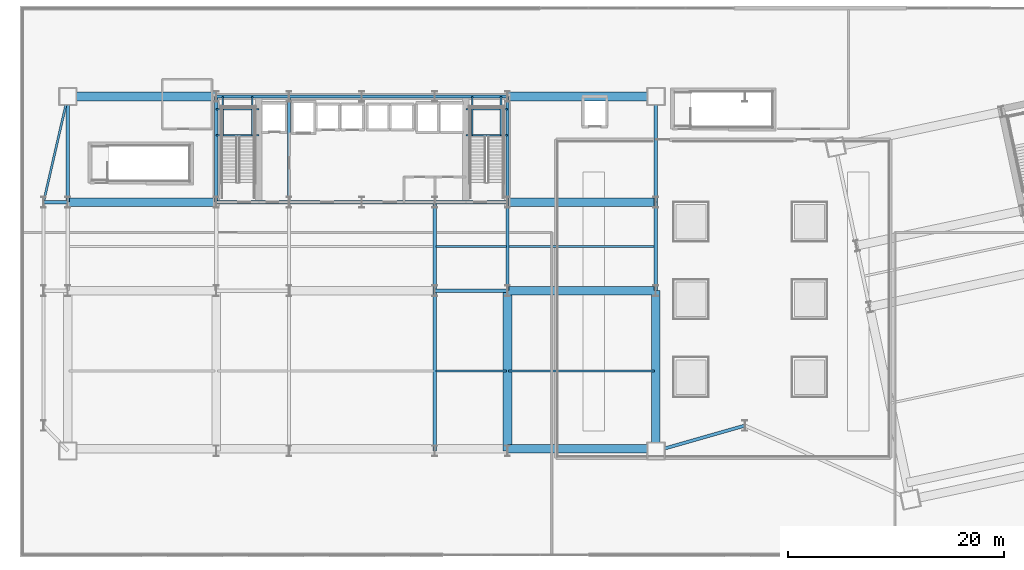
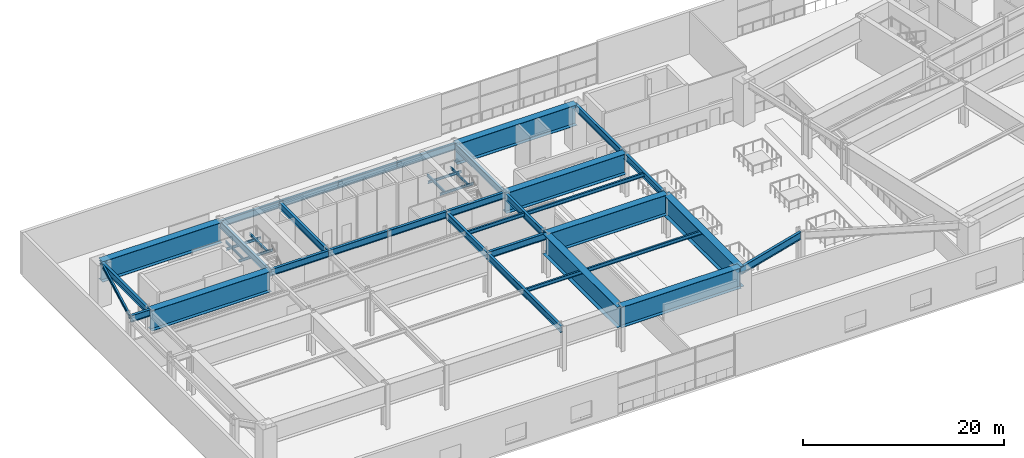
# One storey, part 5 of 29: 41 beams.
"""IFC4 building model written with IfcOpenShell, lengths in metres."""

from ifc_helpers import new_model, si_unit, direction, frame, origin, origin_2d, place, context, subcontext, project, spatial, i_section, extrude, material, material_profile, profile_set, type_object, element, save


model = new_model("IFC4")

# Units and contexts
model_context = context("Model", 3, precision=1e-05, world=origin(), true_north=direction((0.0, 1.0)))
body_context = subcontext(model_context, "Body", "Model", "MODEL_VIEW")
ifc_project = project(units=[si_unit("LENGTHUNIT", "METRE"), si_unit("AREAUNIT", "SQUARE_METRE"), si_unit("VOLUMEUNIT", "CUBIC_METRE"), si_unit("PLANEANGLEUNIT", "RADIAN"), si_unit("MASSUNIT", "GRAM", prefix="KILO")], contexts=[model_context])

# Site, building, storey
site_placement = place(None, origin())
site = spatial("IfcSite", under=ifc_project, at=site_placement, CompositionType="ELEMENT")
building_placement = place(site_placement, origin())
building = spatial("IfcBuilding", under=site, at=building_placement, Name="Haevon Station Towers", CompositionType="ELEMENT")
storey_placement = place(building_placement, frame((0.0, 0.0, 25.199951171875)))
storey = spatial("IfcBuildingStorey", under=building, at=storey_placement, Name="L05", CompositionType="ELEMENT", Elevation=25.199951171875)

# Beams
ifc_material_1 = material(Name="Steel S355", Category="steel")
ifc_material_profile_1 = material_profile(ifc_material_1, i_section(OverallWidth=0.199951171875, OverallDepth=0.39990234375, WebThickness=0.008056640625, FlangeThickness=0.012939453125, at=origin_2d()), Name="H-400x200x8x13")
ifc_profile_set_1 = profile_set([ifc_material_profile_1], Name="Steel S355")
beam_type_1 = type_object("IfcBeamType", Name="BM-CANT400", PredefinedType="JOIST", material=ifc_profile_set_1)
beam_1_placement = place(storey_placement, frame((8.0, 38.199951171875, 4.949951171875), z_axis=(0.223768790916, 0.974642256529, 0.0), x_axis=(-0.974642256529, 0.223768790916, 0.0)))
element("IfcBeam", 1, at=beam_1_placement, inside=storey, type_object=beam_type_1, Name="BM-PODTERR-L05", PredefinedType="JOIST", context=body_context, shape_type="SweptSolid", body=[
    extrude(i_section(OverallWidth=0.199951171875, OverallDepth=0.39990234375, WebThickness=0.008056640625, FlangeThickness=0.012939453125, at=origin_2d()), origin(), (0.0, 0.0, 1.0), 10.054931640625),
])
ifc_material_profile_2 = material_profile(ifc_material_1, i_section(OverallWidth=0.199951171875, OverallDepth=0.449951171875, WebThickness=0.009033203125, FlangeThickness=0.013916015625, at=origin_2d()), Name="H-450x200x9x14")
ifc_profile_set_2 = profile_set([ifc_material_profile_2], Name="Steel S355")
beam_type_2 = type_object("IfcBeamType", Name="BM-J450", PredefinedType="JOIST", material=ifc_profile_set_2)
beam_2_placement = place(storey_placement, frame((44.360107421875, 22.574951171875, 4.925048828125), z_axis=(1.0, 0.0, 0.0), x_axis=(0.0, 1.0, 0.0)))
element("IfcBeam", 2, at=beam_2_placement, inside=storey, type_object=beam_type_2, Name="BM-T1J-L05-01-04", PredefinedType="JOIST", context=body_context, shape_type="SweptSolid", body=[
    extrude(i_section(OverallWidth=0.199951171875, OverallDepth=0.449951171875, WebThickness=0.009033203125, FlangeThickness=0.013916015625, at=origin_2d()), origin(), (0.0, 0.0, 1.0), 6.52978515625),
])
beam_3_placement = place(storey_placement, frame((51.110107421875, 22.574951171875, 4.925048828125), z_axis=(1.0, 0.0, 0.0), x_axis=(0.0, 1.0, 0.0)))
element("IfcBeam", 3, at=beam_3_placement, inside=storey, type_object=beam_type_2, Name="BM-T1J-L05-01-05", PredefinedType="JOIST", context=body_context, shape_type="SweptSolid", body=[
    extrude(i_section(OverallWidth=0.199951171875, OverallDepth=0.449951171875, WebThickness=0.009033203125, FlangeThickness=0.013916015625, at=origin_2d()), origin(), (0.0, 0.0, 1.0), 13.52978515625),
])
beam_4_placement = place(storey_placement, frame((44.360107421875, 34.10009765625, 4.925048828125), z_axis=(1.0, 0.0, 0.0), x_axis=(0.0, 1.0, 0.0)))
element("IfcBeam", 4, at=beam_4_placement, inside=storey, type_object=beam_type_2, Name="BM-T1J-L05-02-04", PredefinedType="JOIST", context=body_context, shape_type="SweptSolid", body=[
    extrude(i_section(OverallWidth=0.199951171875, OverallDepth=0.449951171875, WebThickness=0.009033203125, FlangeThickness=0.013916015625, at=origin_2d()), origin(), (0.0, 0.0, 1.0), 6.52978515625),
])
beam_5_placement = place(storey_placement, frame((51.110107421875, 34.10009765625, 4.925048828125), z_axis=(1.0, 0.0, 0.0), x_axis=(0.0, 1.0, 0.0)))
element("IfcBeam", 5, at=beam_5_placement, inside=storey, type_object=beam_type_2, Name="BM-T1J-L05-02-05", PredefinedType="JOIST", context=body_context, shape_type="SweptSolid", body=[
    extrude(i_section(OverallWidth=0.199951171875, OverallDepth=0.449951171875, WebThickness=0.009033203125, FlangeThickness=0.013916015625, at=origin_2d()), origin(), (0.0, 0.0, 1.0), 13.52978515625),
])
ifc_material_profile_3 = material_profile(ifc_material_1, i_section(OverallWidth=0.14990234375, OverallDepth=0.300048828125, WebThickness=0.006591796875, FlangeThickness=0.009033203125, at=origin_2d()), Name="H-300x150x6.5x9")
ifc_profile_set_3 = profile_set([ifc_material_profile_3], Name="Steel S355")
beam_type_3 = type_object("IfcBeamType", Name="BM-LIN300", PredefinedType="LINTEL", material=ifc_profile_set_3)
for number, where, z_axis, x_axis, name in (
    (6, (24.0, 44.424072265625, 2.35009765625), (1.0, 0.0, 0.0), (0.0, 1.0, 0.0), "BM-ST1L-L05-1-S"),
    (7, (24.0, 46.820068359375, 2.35009765625), (1.0, 0.0, 0.0), (0.0, 1.0, 0.0), "BM-ST1L-L05-1-N"),
):
    element("IfcBeam", number, at=place(storey_placement, frame(where, z_axis=z_axis, x_axis=x_axis)), inside=storey, type_object=beam_type_3, Name=name, PredefinedType="LINTEL", context=body_context, shape_type="SweptSolid", body=[
        extrude(i_section(OverallWidth=0.14990234375, OverallDepth=0.300048828125, WebThickness=0.006591796875, FlangeThickness=0.009033203125, at=origin_2d()), origin(), (0.0, 0.0, 1.0), 3.949951171875),
    ])
for number, where, z_axis, x_axis, name in (
    (8, (24.60009765625, 44.424072265625, 2.35009765625), (0.0, 1.0, 0.0), (-1.0, 0.0, 0.0), "BM-ST1L-L05-1-W"),
    (9, (27.35009765625, 44.424072265625, 2.35009765625), (0.0, 1.0, 0.0), (-1.0, 0.0, 0.0), "BM-ST1L-L05-1-E"),
):
    element("IfcBeam", number, at=place(storey_placement, frame(where, z_axis=z_axis, x_axis=x_axis)), inside=storey, type_object=beam_type_3, Name=name, PredefinedType="LINTEL", context=body_context, shape_type="SweptSolid", body=[
        extrude(i_section(OverallWidth=0.14990234375, OverallDepth=0.300048828125, WebThickness=0.006591796875, FlangeThickness=0.009033203125, at=origin_2d()), origin(), (0.0, 0.0, 1.0), 3.575927734375),
    ])
for number, where, z_axis, x_axis, name in (
    (10, (47.14990234375, 44.424072265625, 2.35009765625), (1.0, 0.0, 0.0), (0.0, 1.0, 0.0), "BM-ST2L-L05-1-S"),
    (11, (47.14990234375, 46.820068359375, 2.35009765625), (1.0, 0.0, 0.0), (0.0, 1.0, 0.0), "BM-ST2L-L05-1-N"),
):
    element("IfcBeam", number, at=place(storey_placement, frame(where, z_axis=z_axis, x_axis=x_axis)), inside=storey, type_object=beam_type_3, Name=name, PredefinedType="LINTEL", context=body_context, shape_type="SweptSolid", body=[
        extrude(i_section(OverallWidth=0.14990234375, OverallDepth=0.300048828125, WebThickness=0.006591796875, FlangeThickness=0.009033203125, at=origin_2d()), origin(), (0.0, 0.0, 1.0), 3.85009765625),
    ])
for number, where, z_axis, x_axis, name in (
    (12, (47.75, 44.424072265625, 2.35009765625), (0.0, 1.0, 0.0), (-1.0, 0.0, 0.0), "BM-ST2L-L05-1-W"),
    (13, (50.39990234375, 44.424072265625, 2.35009765625), (0.0, 1.0, 0.0), (-1.0, 0.0, 0.0), "BM-ST2L-L05-1-E"),
):
    element("IfcBeam", number, at=place(storey_placement, frame(where, z_axis=z_axis, x_axis=x_axis)), inside=storey, type_object=beam_type_3, Name=name, PredefinedType="LINTEL", context=body_context, shape_type="SweptSolid", body=[
        extrude(i_section(OverallWidth=0.14990234375, OverallDepth=0.300048828125, WebThickness=0.006591796875, FlangeThickness=0.009033203125, at=origin_2d()), origin(), (0.0, 0.0, 1.0), 3.575927734375),
    ])
ifc_material_profile_4 = material_profile(ifc_material_1, i_section(OverallWidth=0.300048828125, OverallDepth=0.800048828125, WebThickness=0.013916015625, FlangeThickness=0.02587890625, at=origin_2d()), Name="H-800x300x14x26")
ifc_profile_set_4 = profile_set([ifc_material_profile_4], Name="Steel S355")
beam_type_4 = type_object("IfcBeamType", Name="BM-PG800", PredefinedType="BEAM", material=ifc_profile_set_4)
for number, where, z_axis, x_axis, name in (
    (14, (44.25, 30.0, 4.75), (1.0, 0.0, 0.0), (0.0, 1.0, 0.0), "BM-T1X-L05-02-05"),
    (15, (24.0, 38.199951171875, 4.75), (1.0, 0.0, 0.0), (0.0, 1.0, 0.0), "BM-T1X-L05-03-02"),
    (16, (30.75, 38.199951171875, 4.75), (1.0, 0.0, 0.0), (0.0, 1.0, 0.0), "BM-T1X-L05-03-03"),
    (17, (37.5, 38.199951171875, 4.75), (1.0, 0.0, 0.0), (0.0, 1.0, 0.0), "BM-T1X-L05-03-04"),
    (18, (44.25, 38.199951171875, 4.75), (1.0, 0.0, 0.0), (0.0, 1.0, 0.0), "BM-T1X-L05-03-05"),
    (19, (24.0, 48.0, 4.75), (1.0, 0.0, 0.0), (0.0, 1.0, 0.0), "BM-T1X-L05-04-02"),
    (20, (30.75, 48.0, 4.75), (1.0, 0.0, 0.0), (0.0, 1.0, 0.0), "BM-T1X-L05-04-03"),
    (21, (37.5, 48.0, 4.75), (1.0, 0.0, 0.0), (0.0, 1.0, 0.0), "BM-T1X-L05-04-04"),
    (22, (44.25, 48.0, 4.75), (1.0, 0.0, 0.0), (0.0, 1.0, 0.0), "BM-T1X-L05-04-05"),
):
    element("IfcBeam", number, at=place(storey_placement, frame(where, z_axis=z_axis, x_axis=x_axis)), inside=storey, type_object=beam_type_4, Name=name, PredefinedType="BEAM", context=body_context, shape_type="SweptSolid", body=[
        extrude(i_section(OverallWidth=0.300048828125, OverallDepth=0.800048828125, WebThickness=0.013916015625, FlangeThickness=0.02587890625, at=origin_2d()), origin(), (0.0, 0.0, 1.0), 6.75),
    ])
for number, where, z_axis, x_axis, name in (
    (23, (10.25, 38.199951171875, 4.75), (0.0, 1.0, 0.0), (-1.0, 0.0, 0.0), "BM-T1Y-L05-01-03"),
    (24, (24.0, 38.199951171875, 4.75), (0.0, 1.0, 0.0), (-1.0, 0.0, 0.0), "BM-T1Y-L05-02-03"),
    (25, (30.75, 38.199951171875, 4.75), (0.0, 1.0, 0.0), (-1.0, 0.0, 0.0), "BM-T1Y-L05-03-03"),
):
    element("IfcBeam", number, at=place(storey_placement, frame(where, z_axis=z_axis, x_axis=x_axis)), inside=storey, type_object=beam_type_4, Name=name, PredefinedType="BEAM", context=body_context, shape_type="SweptSolid", body=[
        extrude(i_section(OverallWidth=0.300048828125, OverallDepth=0.800048828125, WebThickness=0.013916015625, FlangeThickness=0.02587890625, at=origin_2d()), origin(), (0.0, 0.0, 1.0), 9.800048828125),
    ])
beam_6_placement = place(storey_placement, frame((44.25, 15.14990234375, 4.75), z_axis=(0.0, 1.0, 0.0), x_axis=(-1.0, 0.0, 0.0)))
element("IfcBeam", 26, at=beam_6_placement, inside=storey, type_object=beam_type_4, Name="BM-T1Y-L05-05-01", PredefinedType="BEAM", context=body_context, shape_type="SweptSolid", body=[
    extrude(i_section(OverallWidth=0.300048828125, OverallDepth=0.800048828125, WebThickness=0.013916015625, FlangeThickness=0.02587890625, at=origin_2d()), origin(), (0.0, 0.0, 1.0), 14.85009765625),
])
for number, where, z_axis, x_axis, name in (
    (27, (44.25, 30.0, 4.75), (0.0, 1.0, 0.0), (-1.0, 0.0, 0.0), "BM-T1Y-L05-05-02"),
    (28, (51.0, 30.0, 4.75), (0.0, 1.0, 0.0), (-1.0, 0.0, 0.0), "BM-T1Y-L05-06-02"),
):
    element("IfcBeam", number, at=place(storey_placement, frame(where, z_axis=z_axis, x_axis=x_axis)), inside=storey, type_object=beam_type_4, Name=name, PredefinedType="BEAM", context=body_context, shape_type="SweptSolid", body=[
        extrude(i_section(OverallWidth=0.300048828125, OverallDepth=0.800048828125, WebThickness=0.013916015625, FlangeThickness=0.02587890625, at=origin_2d()), origin(), (0.0, 0.0, 1.0), 8.199951171875),
    ])
beam_7_placement = place(storey_placement, frame((51.0, 38.199951171875, 4.75), z_axis=(0.0, 1.0, 0.0), x_axis=(-1.0, 0.0, 0.0)))
element("IfcBeam", 29, at=beam_7_placement, inside=storey, type_object=beam_type_4, Name="BM-T1Y-L05-06-03", PredefinedType="BEAM", context=body_context, shape_type="SweptSolid", body=[
    extrude(i_section(OverallWidth=0.300048828125, OverallDepth=0.800048828125, WebThickness=0.013916015625, FlangeThickness=0.02587890625, at=origin_2d()), origin(), (0.0, 0.0, 1.0), 9.800048828125),
])
beam_8_placement = place(storey_placement, frame((64.75, 30.0, 4.75), z_axis=(0.0, 1.0, 0.0), x_axis=(-1.0, 0.0, 0.0)))
element("IfcBeam", 30, at=beam_8_placement, inside=storey, type_object=beam_type_4, Name="BM-T1Y-L05-07-02", PredefinedType="BEAM", context=body_context, shape_type="SweptSolid", body=[
    extrude(i_section(OverallWidth=0.300048828125, OverallDepth=0.800048828125, WebThickness=0.013916015625, FlangeThickness=0.02587890625, at=origin_2d()), origin(), (0.0, 0.0, 1.0), 8.199951171875),
])
beam_9_placement = place(storey_placement, frame((64.75, 38.199951171875, 4.75), z_axis=(0.0, 1.0, 0.0), x_axis=(-1.0, 0.0, 0.0)))
element("IfcBeam", 31, at=beam_9_placement, inside=storey, type_object=beam_type_4, Name="BM-T1Y-L05-07-03", PredefinedType="BEAM", context=body_context, shape_type="SweptSolid", body=[
    extrude(i_section(OverallWidth=0.300048828125, OverallDepth=0.800048828125, WebThickness=0.013916015625, FlangeThickness=0.02587890625, at=origin_2d()), origin(), (0.0, 0.0, 1.0), 9.800048828125),
])
beam_10_placement = place(storey_placement, frame((8.0, 38.199951171875, 4.75), z_axis=(1.0, 0.0, 0.0), x_axis=(0.0, 1.0, 0.0)))
element("IfcBeam", 32, at=beam_10_placement, inside=storey, type_object=beam_type_4, Name="BM-PODW-L05-3", PredefinedType="BEAM", context=body_context, shape_type="SweptSolid", body=[
    extrude(i_section(OverallWidth=0.300048828125, OverallDepth=0.800048828125, WebThickness=0.013916015625, FlangeThickness=0.02587890625, at=origin_2d()), origin(), (0.0, 0.0, 1.0), 2.25),
])
ifc_material_profile_5 = material_profile(ifc_material_1, i_section(OverallWidth=0.300048828125, OverallDepth=0.89990234375, WebThickness=0.01611328125, FlangeThickness=0.028076171875, at=origin_2d()), Name="H-900x300x16x28")
ifc_profile_set_5 = profile_set([ifc_material_profile_5], Name="Steel S355")
beam_type_5 = type_object("IfcBeamType", Name="BM-PG900", PredefinedType="BEAM", material=ifc_profile_set_5)
beam_11_placement = place(storey_placement, frame((64.75, 15.14990234375, 4.699951171875), z_axis=(0.961740592782, 0.273961734911, 0.0), x_axis=(-0.273961734911, 0.961740592782, 0.0)))
element("IfcBeam", 33, at=beam_11_placement, inside=storey, type_object=beam_type_5, Name="BM-PODLKS1-L05", PredefinedType="BEAM", context=body_context, shape_type="SweptSolid", body=[
    extrude(i_section(OverallWidth=0.300048828125, OverallDepth=0.89990234375, WebThickness=0.01611328125, FlangeThickness=0.028076171875, at=origin_2d()), origin(), (0.0, 0.0, 1.0), 8.578125),
])
ifc_material_2 = material(Name="Steel S460", Category="steel")
ifc_material_profile_6 = material_profile(ifc_material_2, i_section(OverallWidth=0.800048828125, OverallDepth=2.5, WebThickness=0.031982421875, FlangeThickness=0.0400390625, at=origin_2d()), Name="H-2500x800x32x40")
ifc_profile_set_6 = profile_set([ifc_material_profile_6], Name="Steel S460")
beam_type_6 = type_object("IfcBeamType", Name="BM-TG2500", PredefinedType="BEAM", material=ifc_profile_set_6)
for number, where, z_axis, x_axis, name in (
    (34, (51.0, 30.0, 3.900146484375), (1.0, 0.0, 0.0), (0.0, 1.0, 0.0), "BM-T1X-L05-02-06"),
    (35, (10.25, 38.199951171875, 3.900146484375), (1.0, 0.0, 0.0), (0.0, 1.0, 0.0), "BM-T1X-L05-03-01"),
    (36, (51.0, 38.199951171875, 3.900146484375), (1.0, 0.0, 0.0), (0.0, 1.0, 0.0), "BM-T1X-L05-03-06"),
    (37, (10.25, 48.0, 3.900146484375), (1.0, 0.0, 0.0), (0.0, 1.0, 0.0), "BM-T1X-L05-04-01"),
    (38, (51.0, 48.0, 3.900146484375), (1.0, 0.0, 0.0), (0.0, 1.0, 0.0), "BM-T1X-L05-04-06"),
):
    element("IfcBeam", number, at=place(storey_placement, frame(where, z_axis=z_axis, x_axis=x_axis)), inside=storey, type_object=beam_type_6, Name=name, PredefinedType="BEAM", context=body_context, shape_type="SweptSolid", body=[
        extrude(i_section(OverallWidth=0.800048828125, OverallDepth=2.5, WebThickness=0.031982421875, FlangeThickness=0.0400390625, at=origin_2d()), origin(), (0.0, 0.0, 1.0), 13.75),
    ])
for number, where, z_axis, x_axis, name in (
    (39, (51.0, 15.14990234375, 3.900146484375), (0.0, 1.0, 0.0), (-1.0, 0.0, 0.0), "BM-T1Y-L05-06-01"),
    (40, (64.75, 15.14990234375, 3.900146484375), (0.0, 1.0, 0.0), (-1.0, 0.0, 0.0), "BM-T1Y-L05-07-01"),
):
    element("IfcBeam", number, at=place(storey_placement, frame(where, z_axis=z_axis, x_axis=x_axis)), inside=storey, type_object=beam_type_6, Name=name, PredefinedType="BEAM", context=body_context, shape_type="SweptSolid", body=[
        extrude(i_section(OverallWidth=0.800048828125, OverallDepth=2.5, WebThickness=0.031982421875, FlangeThickness=0.0400390625, at=origin_2d()), origin(), (0.0, 0.0, 1.0), 14.85009765625),
    ])
beam_12_placement = place(storey_placement, frame((51.0, 15.35009765625, 3.900146484375), z_axis=(1.0, 0.0, 0.0), x_axis=(0.0, 1.0, 0.0)))
element("IfcBeam", 41, at=beam_12_placement, inside=storey, type_object=beam_type_6, Name="BM-L05-T1TRN-3", PredefinedType="BEAM", context=body_context, shape_type="SweptSolid", body=[
    extrude(i_section(OverallWidth=0.800048828125, OverallDepth=2.5, WebThickness=0.031982421875, FlangeThickness=0.0400390625, at=origin_2d()), origin(), (0.0, 0.0, 1.0), 13.75),
])

save(model, "model.ifc")
